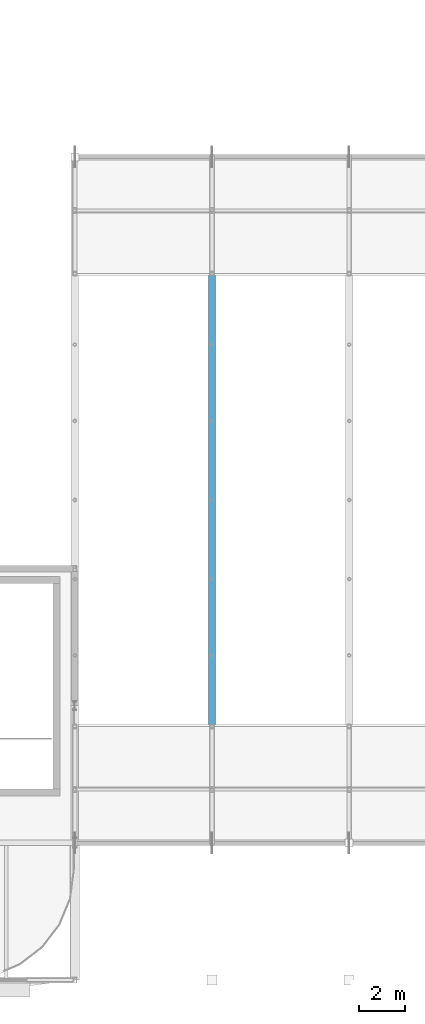
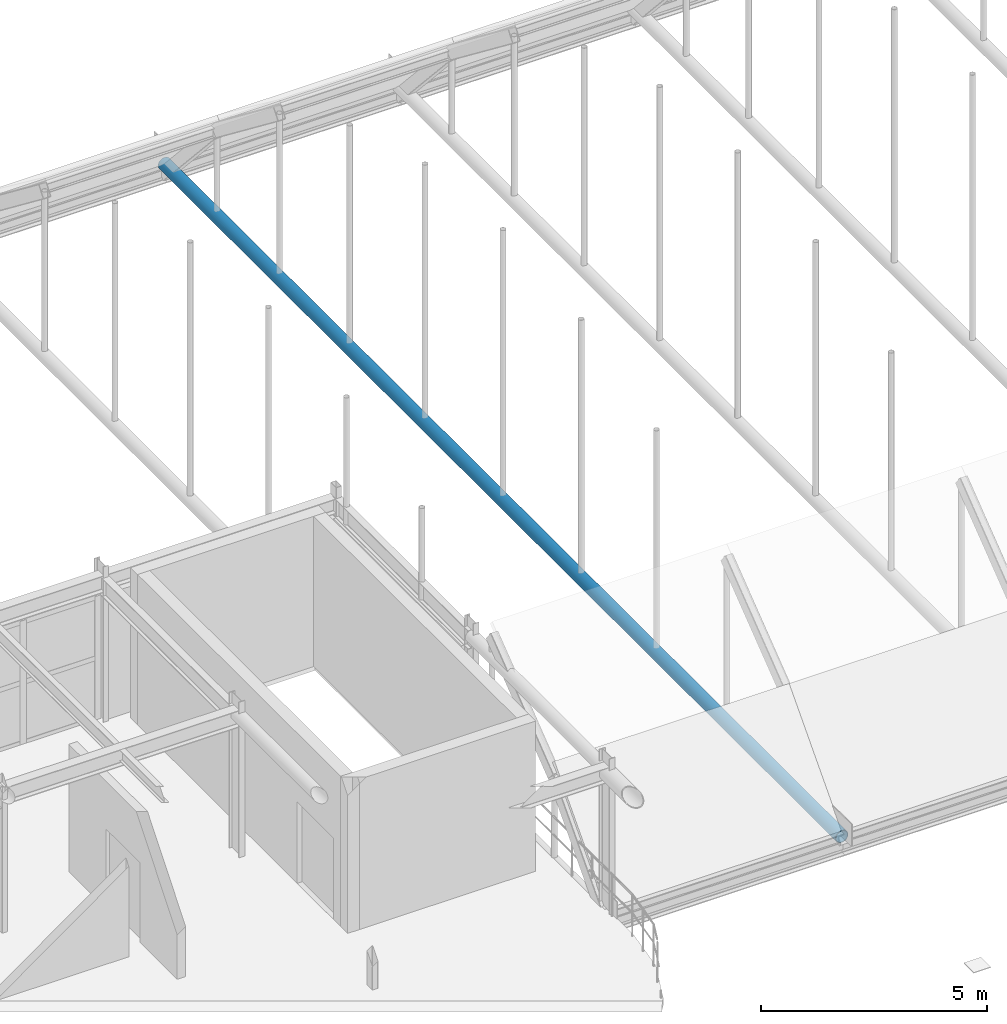
# One storey, part 32 of 116: 1 member.
"""IFC4 building model written with IfcOpenShell, lengths in metres."""

from ifc_helpers import new_model, si_unit, direction, frame, origin, origin_2d, place, context, subcontext, project, spatial, hollow_circle, extrude, material, material_profile, profile_set, type_object, element, save


model = new_model("IFC4")

# Units and contexts
model_context = context("Model", 3, precision=1e-05, world=origin(), true_north=direction((0.0, 1.0)))
body_context = subcontext(model_context, "Body", "Model", "MODEL_VIEW")
ifc_project = project(units=[si_unit("LENGTHUNIT", "METRE"), si_unit("AREAUNIT", "SQUARE_METRE"), si_unit("VOLUMEUNIT", "CUBIC_METRE"), si_unit("PLANEANGLEUNIT", "RADIAN"), si_unit("MASSUNIT", "GRAM", prefix="KILO")], contexts=[model_context])

# Site, building, storey
site_placement = place(None, origin())
site = spatial("IfcSite", under=ifc_project, at=site_placement, CompositionType="ELEMENT")
building_placement = place(site_placement, origin())
building = spatial("IfcBuilding", under=site, at=building_placement, Name="Varnakota Square Police Headquarters", CompositionType="ELEMENT")
storey_placement = place(building_placement, frame((0.0, 0.0, 9.300048828125)))
storey = spatial("IfcBuildingStorey", under=building, at=storey_placement, Name="L02", CompositionType="ELEMENT", Elevation=9.300048828125)

# Member
ifc_material = material(Name="Steel IS 2062 Grade 350", Category="steel")
ifc_material_profile = material_profile(ifc_material, hollow_circle(Radius=0.161865234375, WallThickness=0.0126953125, at=origin_2d()), Name="CHS 323.9x12.7")
ifc_profile_set = profile_set([ifc_material_profile], Name="Steel IS 2062 Grade 350")
member_type = type_object("IfcMemberType", Name="MEM-TIE-CHS273", PredefinedType="CHORD", material=ifc_profile_set)
member_placement = place(storey_placement, frame((60.0, 9.0, -0.150146484375), z_axis=(0.0, 1.0, 0.0), x_axis=(-1.0, 0.0, 0.0)))
element("IfcMember", 1, at=member_placement, inside=storey, type_object=member_type, Name="Barrel vault tie rod V1-R02", PredefinedType="CHORD", context=body_context, shape_type="SweptSolid", body=[
    extrude(hollow_circle(Radius=0.161865234375, WallThickness=0.0126953125, at=origin_2d()), origin(), (0.0, 0.0, 1.0), 30.0),
])

save(model, "model.ifc")
